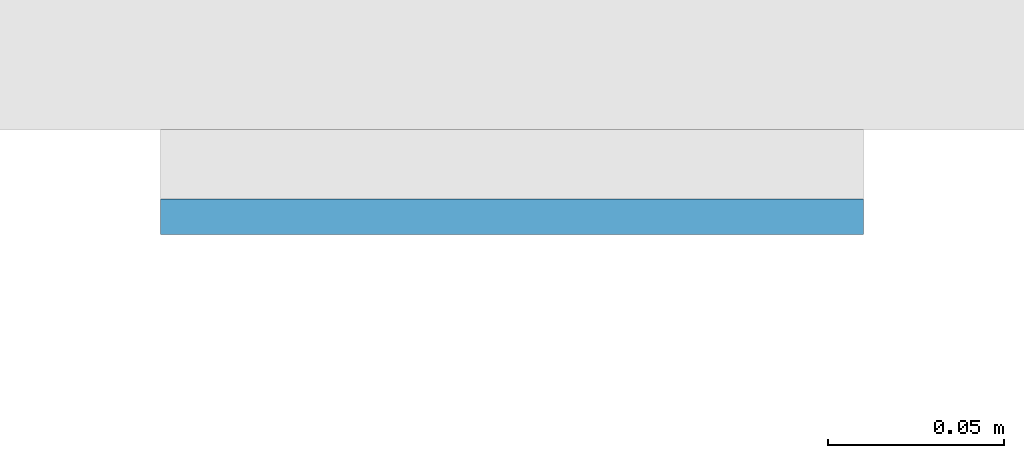
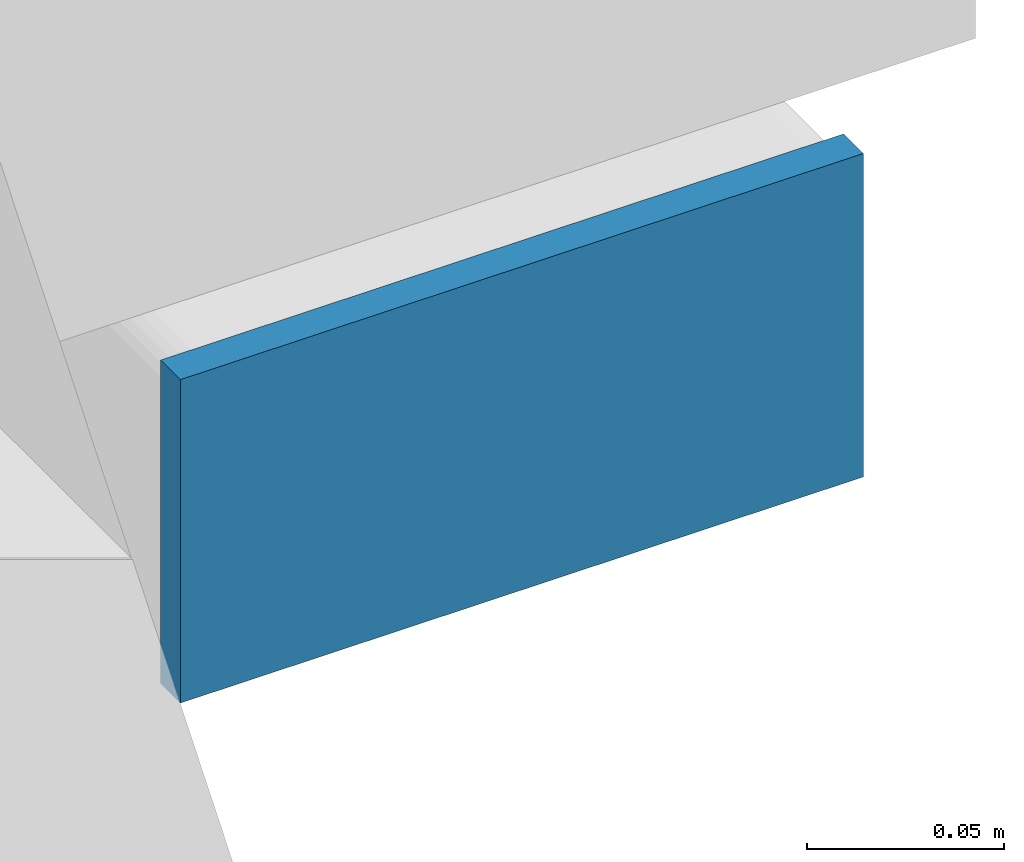
# One storey, part 10 of 20: 1 plate.
"""IFC4 building model written with IfcOpenShell, lengths in metres."""

from ifc_helpers import new_model, si_unit, direction, frame, origin, origin_2d, place, context, subcontext, project, spatial, rectangle, extrude, material, layer, layer_set, type_object, element, save


model = new_model("IFC4")

# Units and contexts
model_context = context("Model", 3, precision=1e-05, world=origin(), true_north=direction((0.0, 1.0)))
body_context = subcontext(model_context, "Body", "Model", "MODEL_VIEW")
ifc_project = project(units=[si_unit("LENGTHUNIT", "METRE"), si_unit("AREAUNIT", "SQUARE_METRE"), si_unit("VOLUMEUNIT", "CUBIC_METRE"), si_unit("PLANEANGLEUNIT", "RADIAN"), si_unit("MASSUNIT", "GRAM", prefix="KILO")], contexts=[model_context])

# Site, building, storey
site_placement = place(None, origin())
site = spatial("IfcSite", under=ifc_project, at=site_placement, CompositionType="ELEMENT")
building_placement = place(site_placement, origin())
building = spatial("IfcBuilding", under=site, at=building_placement, Name="Cleftline Residences", CompositionType="ELEMENT")
storey_placement = place(building_placement, frame((0.0, 0.0, 47.60009765625)))
storey = spatial("IfcBuildingStorey", under=building, at=storey_placement, Name="L11", CompositionType="ELEMENT", Elevation=47.60009765625)

# Plate
ifc_material = material(Name="Steel S355, hot-dip galvanised", Category="steel")
ifc_layer = layer(ifc_material, 0.010009765625)
ifc_layer_set = layer_set([ifc_layer], Name="BAGUETTE CARRIER END PLATE 200X100X10")
plate_type = type_object("IfcPlateType", Name="BAGUETTE CARRIER END PLATE 200X100X10", PredefinedType="USERDEFINED", material=ifc_layer_set)
plate_placement = place(storey_placement, frame((66.85009765625, 3.695068359375, -0.10009765625), z_axis=(0.0, 0.0, 1.0), x_axis=(1.0, 0.0, 0.0)))
element("IfcPlate", 1, at=plate_placement, inside=storey, type_object=plate_type, Name="Baguette carrier end plate", ObjectType="BAGUETTE CARRIER END PLATE", PredefinedType="USERDEFINED", context=body_context, shape_type="SweptSolid", body=[
    extrude(rectangle(XDim=0.199951171875, YDim=0.010009765625, at=origin_2d()), origin(), (0.0, 0.0, 1.0), 0.10009765625),
])

save(model, "model.ifc")
